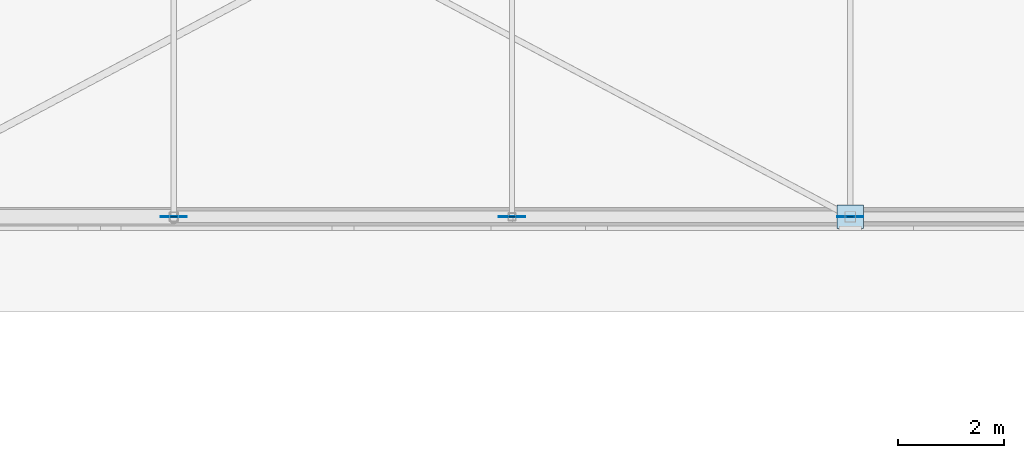
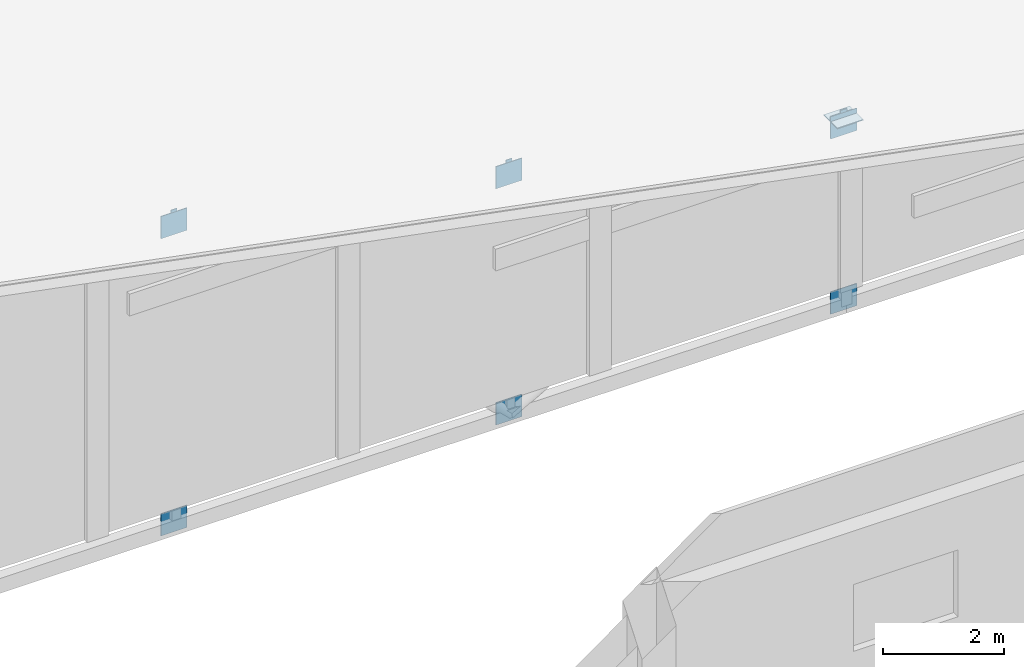
# One storey, part 145 of 200: 10 plates.
"""IFC4 building model written with IfcOpenShell, lengths in metres."""

from ifc_helpers import new_model, si_unit, direction, frame, origin, origin_2d, place, context, subcontext, project, spatial, rectangle, extrude, material, layer, layer_set, type_object, element, save


model = new_model("IFC4")

# Units and contexts
model_context = context("Model", 3, precision=1e-05, world=origin(), true_north=direction((0.0, 1.0)))
body_context = subcontext(model_context, "Body", "Model", "MODEL_VIEW")
ifc_project = project(units=[si_unit("LENGTHUNIT", "METRE"), si_unit("AREAUNIT", "SQUARE_METRE"), si_unit("VOLUMEUNIT", "CUBIC_METRE"), si_unit("PLANEANGLEUNIT", "RADIAN"), si_unit("MASSUNIT", "GRAM", prefix="KILO")], contexts=[model_context])

# Site, building, storey
site_placement = place(None, origin())
site = spatial("IfcSite", under=ifc_project, at=site_placement, CompositionType="ELEMENT")
building_placement = place(site_placement, origin())
building = spatial("IfcBuilding", under=site, at=building_placement, Name="Vondelvale Polytechnic", CompositionType="ELEMENT")
storey_placement = place(building_placement, frame((0.0, 0.0, 13.800048828125)))
storey = spatial("IfcBuildingStorey", under=building, at=storey_placement, Name="L03", CompositionType="ELEMENT", Elevation=13.800048828125)

# Plates
ifc_material = material(Name="Steel Grade 350 (fy = 340 MPa)", Category="steel")
ifc_layer_1 = layer(ifc_material, 0.011962890625)
ifc_layer_set_1 = layer_set([ifc_layer_1], Name="PLATE-CAP-C04")
plate_type_1 = type_object("IfcPlateType", Name="PLATE-CAP-C04", PredefinedType="USERDEFINED", material=ifc_layer_set_1)
for number, where, z_axis, x_axis, name in (
    (1, (16.0, 51.0, 5.742919921875), (0.0, 0.0, 1.0), (1.0, 0.0, 0.0), "Workshop purlin South end cap plate 5"),
    (2, (22.39990234375, 51.0, 4.509521484375), (0.0, 0.0, 1.0), (1.0, 0.0, 0.0), "Workshop purlin South end cap plate 6"),
    (3, (28.800048828125, 51.0, 3.2763671875), (0.0, 0.0, 1.0), (1.0, 0.0, 0.0), "Workshop purlin South end cap plate 7"),
):
    element("IfcPlate", number, at=place(storey_placement, frame(where, z_axis=z_axis, x_axis=x_axis)), inside=storey, type_object=plate_type_1, Name=name, ObjectType="CAP_PLATE", PredefinedType="USERDEFINED", context=body_context, shape_type="SweptSolid", body=[
        extrude(rectangle(XDim=0.1201171875, YDim=0.011962890625, at=origin_2d()), origin(), (0.0, 0.0, 1.0), 0.2099609375),
    ])
ifc_layer_2 = layer(ifc_material, 0.01611328125)
ifc_layer_set_2 = layer_set([ifc_layer_2], Name="PLATE-GUSSET-16")
plate_type_2 = type_object("IfcPlateType", Name="PLATE-GUSSET-16", PredefinedType="USERDEFINED", material=ifc_layer_set_2)
for number, where, z_axis, x_axis, name in (
    (4, (16.0, 51.0, 5.44189453125), (0.0, 0.0, 1.0), (1.0, 0.0, 0.0), "ROOF TRUSS top chord gusset node plate 3"),
    (5, (16.0, 51.0, -0.56494140625), (0.0, 0.0, 1.0), (1.0, 0.0, 0.0), "ROOF TRUSS bottom chord gusset node plate 3"),
    (6, (22.39990234375, 51.0, 4.20849609375), (0.0, 0.0, 1.0), (1.0, 0.0, 0.0), "ROOF TRUSS top chord gusset node plate 4"),
    (7, (22.39990234375, 51.0, -0.56494140625), (0.0, 0.0, 1.0), (1.0, 0.0, 0.0), "ROOF TRUSS bottom chord gusset node plate 4"),
    (8, (28.800048828125, 51.0, 2.97509765625), (0.0, 0.0, 1.0), (1.0, 0.0, 0.0), "ROOF TRUSS top chord gusset node plate 5"),
    (9, (28.800048828125, 51.0, -0.56494140625), (0.0, 0.0, 1.0), (1.0, 0.0, 0.0), "ROOF TRUSS bottom chord gusset node plate 5"),
):
    element("IfcPlate", number, at=place(storey_placement, frame(where, z_axis=z_axis, x_axis=x_axis)), inside=storey, type_object=plate_type_2, Name=name, ObjectType="GUSSET_PLATE", PredefinedType="USERDEFINED", context=body_context, shape_type="SweptSolid", body=[
        extrude(rectangle(XDim=0.5, YDim=0.01611328125, at=origin_2d()), origin(), (0.0, 0.0, 1.0), 0.449951171875),
    ])
plate_placement = place(storey_placement, frame((28.800048828125, 51.0, 3.31201171875), z_axis=(0.0, 0.0, 1.0), x_axis=(1.0, 0.0, 0.0)))
element("IfcPlate", 10, at=plate_placement, inside=storey, type_object=plate_type_2, Name="Workshop roof brace end gusset plate 1-3", ObjectType="GUSSET_PLATE", PredefinedType="USERDEFINED", context=body_context, shape_type="SweptSolid", body=[
    extrude(rectangle(XDim=0.5, YDim=0.449951171875, at=origin_2d()), origin(), (0.0, 0.0, 1.0), 0.01611328125),
])

save(model, "model.ifc")
